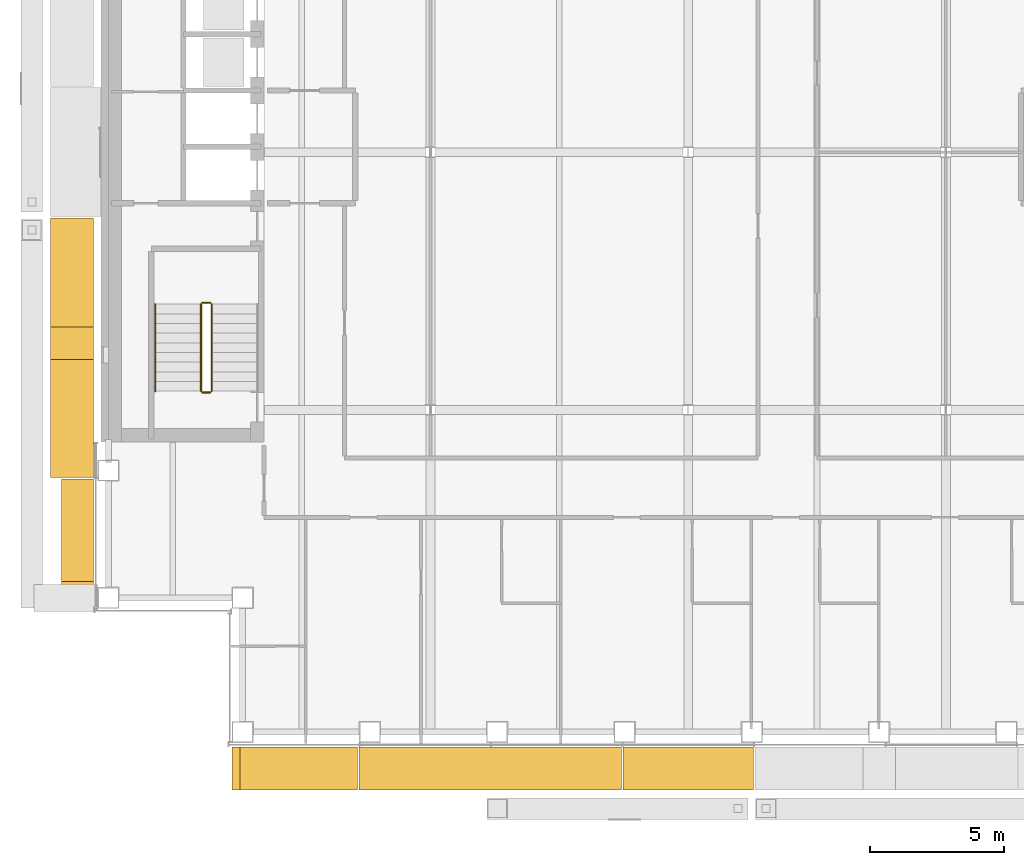
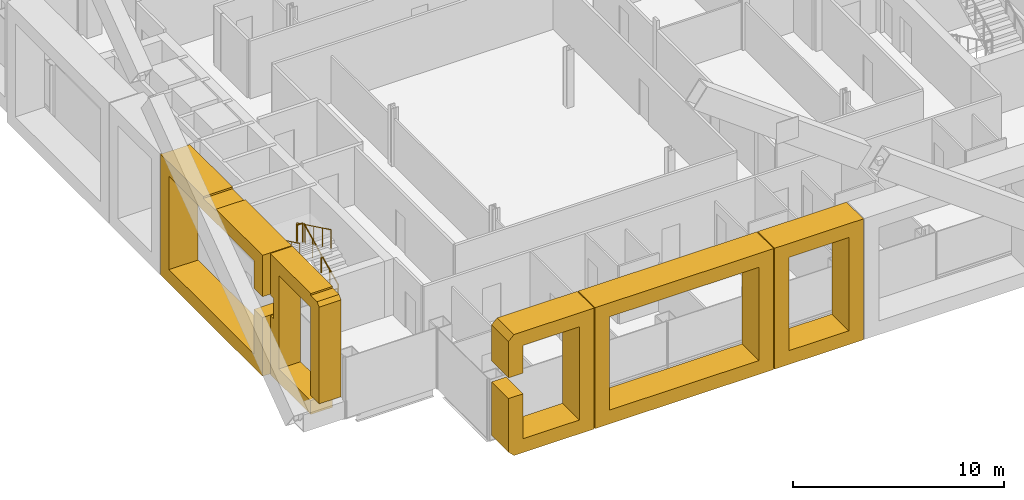
# One storey, part 17 of 22: 5 coverings, 5 railings.
"""IFC4 building model written with IfcOpenShell, lengths in metres."""

from ifc_helpers import new_model, si_unit, direction, frame, origin, origin_2d, place, context, subcontext, project, spatial, polyline, circle, outline, extrude, material, type_object, element, save


model = new_model("IFC4")

# Units and contexts
model_context = context("Model", 3, precision=1e-05, world=origin(), true_north=direction((0.0, 1.0)))
body_context = subcontext(model_context, "Body", "Model", "MODEL_VIEW")
ifc_project = project(units=[si_unit("LENGTHUNIT", "METRE"), si_unit("AREAUNIT", "SQUARE_METRE"), si_unit("VOLUMEUNIT", "CUBIC_METRE"), si_unit("PLANEANGLEUNIT", "RADIAN"), si_unit("MASSUNIT", "GRAM", prefix="KILO")], contexts=[model_context])

# Site, building, storey
site_placement = place(None, origin())
site = spatial("IfcSite", under=ifc_project, at=site_placement, CompositionType="ELEMENT")
building_placement = place(site_placement, origin())
building = spatial("IfcBuilding", under=site, at=building_placement, Name="Cobrizo Arcos Hotel Tower", CompositionType="ELEMENT")
storey_placement = place(building_placement, frame((0.0, 0.0, 162.0)))
storey = spatial("IfcBuildingStorey", under=building, at=storey_placement, Name="L41", CompositionType="ELEMENT", Elevation=162.0)

# Coverings
ifc_material_1 = material(Name="Aluminium 6063-T6 anodised bronze", Category="aluminium")
covering_type_1 = type_object("IfcCoveringType", Name="FIN-F 1200", PredefinedType="CLADDING", material=ifc_material_1)
covering_1_placement = place(storey_placement, frame((-22.14990234375, -12.16796875, 0.0), z_axis=(-1.0, 0.0, 0.0), x_axis=(0.0, -1.0, 0.0)))
element("IfcCovering", 1, at=covering_1_placement, inside=storey, type_object=covering_type_1, Name="Fin frame 275", PredefinedType="CLADDING", context=body_context, shape_type="SweptSolid", body=[
    extrude(outline(polyline([(0.0, 0.0), (3.830078125, 0.0), (3.830078125, 0.800048828125), (0.800048828125, 0.800048828125), (0.800048828125, 6.199951171875), (3.83203125, 6.199951171875), (3.83203125, 1.10205078125), (4.632080078125, 1.10205078125), (4.632080078125, 6.699951171875), (4.43408203125, 6.89794921875), (3.830078125, 6.89794921875), (3.830078125, 7.0), (0.0, 7.0), (0.0, 4.60205078125), (0.291259765625, 4.60205078125), (0.291259765625, 3.39794921875), (0.0, 3.39794921875), (0.0, 0.0)])), origin(), (0.0, 0.0, 1.0), 1.2001953125),
])
covering_type_2 = type_object("IfcCoveringType", Name="FIN-F 1600", PredefinedType="CLADDING", material=ifc_material_1)
covering_2_placement = place(storey_placement, frame((-17.0, -22.14990234375, 0.0), z_axis=(0.0, -1.0, 0.0), x_axis=(1.0, 0.0, 0.0)))
element("IfcCovering", 2, at=covering_2_placement, inside=storey, type_object=covering_type_2, Name="Fin frame 241", PredefinedType="CLADDING", context=body_context, shape_type="SweptSolid", body=[
    extrude(outline(polyline([(0.0, 6.699951171875), (0.0, 4.60205078125), (0.800048828125, 4.60205078125), (0.800048828125, 6.199951171875), (3.889404296875, 6.199951171875), (3.889404296875, 0.800048828125), (0.800048828125, 0.800048828125), (0.800048828125, 3.39794921875), (0.0, 3.39794921875), (0.0, 0.300048828125), (0.300048828125, 0.0), (4.689208984375, 0.0), (4.689208984375, 7.0), (0.300048828125, 7.0), (0.0, 6.699951171875)])), origin(), (0.0, 0.0, 1.0), 1.60009765625),
])
covering_3_placement = place(storey_placement, frame((-12.2607421875, -22.14990234375, 0.0), z_axis=(0.0, -1.0, 0.0), x_axis=(1.0, 0.0, 0.0)))
element("IfcCovering", 3, at=covering_3_placement, inside=storey, type_object=covering_type_2, Name="Fin frame 242", PredefinedType="CLADDING", context=body_context, shape_type="SweptSolid", body=[
    extrude(outline(polyline([(0.0, 7.0), (0.0, 0.0), (9.778564453125, 0.0), (9.778564453125, 7.0), (0.0, 7.0)]), holes=[polyline([(8.978515625, 0.800048828125), (0.800048828125, 0.800048828125), (0.800048828125, 6.199951171875), (8.978515625, 6.199951171875), (8.978515625, 0.800048828125)])]), origin(), (0.0, 0.0, 1.0), 1.60009765625),
])
covering_4_placement = place(storey_placement, frame((-2.43212890625, -22.14990234375, 0.0), z_axis=(0.0, -1.0, 0.0), x_axis=(1.0, 0.0, 0.0)))
element("IfcCovering", 4, at=covering_4_placement, inside=storey, type_object=covering_type_2, Name="Fin frame 243", PredefinedType="CLADDING", context=body_context, shape_type="SweptSolid", body=[
    extrude(outline(polyline([(0.0, 7.0), (0.0, 0.0), (4.8642578125, 0.0), (4.8642578125, 7.0), (0.0, 7.0)]), holes=[polyline([(4.064208984375, 0.800048828125), (0.800048828125, 0.800048828125), (0.800048828125, 6.199951171875), (4.064208984375, 6.199951171875), (4.064208984375, 0.800048828125)])]), origin(), (0.0, 0.0, 1.0), 1.60009765625),
])
covering_5_placement = place(storey_placement, frame((-22.14990234375, -2.45361328125, 0.0), z_axis=(-1.0, 0.0, 0.0), x_axis=(0.0, -1.0, 0.0)))
element("IfcCovering", 5, at=covering_5_placement, inside=storey, type_object=covering_type_2, Name="Fin frame 274", PredefinedType="CLADDING", context=body_context, shape_type="SweptSolid", body=[
    extrude(outline(polyline([(9.664306640625, 0.0), (9.664306640625, 3.39794921875), (8.8642578125, 3.39794921875), (8.8642578125, 0.800048828125), (0.800048828125, 0.800048828125), (0.800048828125, 6.199951171875), (8.8642578125, 6.199951171875), (8.8642578125, 4.60205078125), (9.664306640625, 4.60205078125), (9.664306640625, 7.0), (5.2626953125, 7.0), (5.2626953125, 6.89794921875), (4.05859375, 6.89794921875), (4.05859375, 7.0), (0.0, 7.0), (0.0, 0.0), (9.664306640625, 0.0)])), origin(), (0.0, 0.0, 1.0), 1.60009765625),
])

# Railings
ifc_material_2 = material(Name="Stainless steel railing", Category="steel")
railing_type_1 = type_object("IfcRailingType", Name="Stair guard 1100", PredefinedType="GUARDRAIL", material=ifc_material_2)
railing_1_placement = place(storey_placement, frame((-17.75, -8.89990234375, 0.175048828125)))
element("IfcRailing", 6, at=railing_1_placement, inside=storey, type_object=railing_type_1, Name="L41 ST-W stair guard 1", PredefinedType="GUARDRAIL", context=body_context, shape_type="SweptSolid", body=[
    extrude(circle(Radius=0.02392578125, at=origin_2d()), frame((0.0, 0.0, 1.076171875), z_axis=(0.0, 0.899372665325, 0.437182809435), x_axis=(-1.0, 0.0, 0.0)), (0.0, 0.0, 1.0), 3.6025390625),
    extrude(circle(Radius=0.02099609375, at=origin_2d()), origin(), (0.0, 0.0, 1.0), 1.052001953125),
    extrude(circle(Radius=0.02099609375, at=origin_2d()), frame((0.0, 0.81005859375, 0.393798828125)), (0.0, 0.0, 1.0), 1.052001953125),
    extrude(circle(Radius=0.02099609375, at=origin_2d()), frame((0.0, 1.6201171875, 0.78759765625)), (0.0, 0.0, 1.0), 1.052001953125),
    extrude(circle(Radius=0.02099609375, at=origin_2d()), frame((0.0, 2.429931640625, 1.18115234375)), (0.0, 0.0, 1.0), 1.052001953125),
    extrude(circle(Radius=0.02099609375, at=origin_2d()), frame((0.0, 3.239990234375, 1.574951171875)), (0.0, 0.0, 1.0), 1.052001953125),
])
railing_2_placement = place(storey_placement, frame((-17.800048828125, -5.610107421875, 1.75)))
element("IfcRailing", 7, at=railing_2_placement, inside=storey, type_object=railing_type_1, Name="L41 ST-W stair guard 2", PredefinedType="GUARDRAIL", context=body_context, shape_type="SweptSolid", body=[
    extrude(circle(Radius=0.02392578125, at=origin_2d()), frame((0.0, 0.0, 1.076171875), z_axis=(-1.0, 0.0, 0.0), x_axis=(0.0, -1.0, 0.0)), (0.0, 0.0, 1.0), 0.300048828125),
    extrude(circle(Radius=0.02099609375, at=origin_2d()), origin(), (0.0, 0.0, 1.0), 1.052001953125),
    extrude(circle(Radius=0.02099609375, at=origin_2d()), frame((-0.300048828125, 0.0, 0.0)), (0.0, 0.0, 1.0), 1.052001953125),
])
railing_3_placement = place(storey_placement, frame((-18.14990234375, -5.659912109375, 1.925048828125)))
element("IfcRailing", 8, at=railing_3_placement, inside=storey, type_object=railing_type_1, Name="L41 ST-W stair guard 3", PredefinedType="GUARDRAIL", context=body_context, shape_type="SweptSolid", body=[
    extrude(circle(Radius=0.02392578125, at=origin_2d()), frame((0.0, 0.0, 1.076171875), z_axis=(0.0, -0.899372665325, 0.437182809435), x_axis=(1.0, 0.0, 0.0)), (0.0, 0.0, 1.0), 3.6025390625),
    extrude(circle(Radius=0.02099609375, at=origin_2d()), origin(), (0.0, 0.0, 1.0), 1.052001953125),
    extrude(circle(Radius=0.02099609375, at=origin_2d()), frame((0.0, -0.81005859375, 0.393798828125)), (0.0, 0.0, 1.0), 1.052001953125),
    extrude(circle(Radius=0.02099609375, at=origin_2d()), frame((0.0, -1.6201171875, 0.78759765625)), (0.0, 0.0, 1.0), 1.052001953125),
    extrude(circle(Radius=0.02099609375, at=origin_2d()), frame((0.0, -2.429931640625, 1.18115234375)), (0.0, 0.0, 1.0), 1.052001953125),
    extrude(circle(Radius=0.02099609375, at=origin_2d()), frame((0.0, -3.239990234375, 1.574951171875)), (0.0, 0.0, 1.0), 1.052001953125),
])
railing_4_placement = place(storey_placement, frame((-17.800048828125, -8.949951171875, 0.0)))
element("IfcRailing", 9, at=railing_4_placement, inside=storey, type_object=railing_type_1, Name="L41 ST-W stair guard 4", PredefinedType="GUARDRAIL", context=body_context, shape_type="SweptSolid", body=[
    extrude(circle(Radius=0.02392578125, at=origin_2d()), frame((0.0, 0.0, 1.076171875), z_axis=(-1.0, 0.0, 0.0), x_axis=(0.0, -1.0, 0.0)), (0.0, 0.0, 1.0), 0.300048828125),
    extrude(circle(Radius=0.02099609375, at=origin_2d()), origin(), (0.0, 0.0, 1.0), 1.052001953125),
    extrude(circle(Radius=0.02099609375, at=origin_2d()), frame((-0.300048828125, 0.0, 0.0)), (0.0, 0.0, 1.0), 1.052001953125),
])
railing_type_2 = type_object("IfcRailingType", Name="Stair handrail", PredefinedType="HANDRAIL", material=ifc_material_2)
railing_5_placement = place(storey_placement, frame((-19.85009765625, -5.659912109375, 1.925048828125)))
element("IfcRailing", 10, at=railing_5_placement, inside=storey, type_object=railing_type_2, Name="L41 ST-W stair handrail 2", PredefinedType="HANDRAIL", context=body_context, shape_type="SweptSolid", body=[
    extrude(circle(Radius=0.02392578125, at=origin_2d()), frame((0.0, 0.0, 0.8759765625), z_axis=(0.0, -0.899372665325, 0.437182809435), x_axis=(1.0, 0.0, 0.0)), (0.0, 0.0, 1.0), 3.6025390625),
    extrude(circle(Radius=0.02099609375, at=origin_2d()), origin(), (0.0, 0.0, 1.0), 0.851806640625),
    extrude(circle(Radius=0.02099609375, at=origin_2d()), frame((0.0, -0.81005859375, 0.393798828125)), (0.0, 0.0, 1.0), 0.851806640625),
    extrude(circle(Radius=0.02099609375, at=origin_2d()), frame((0.0, -1.6201171875, 0.78759765625)), (0.0, 0.0, 1.0), 0.851806640625),
    extrude(circle(Radius=0.02099609375, at=origin_2d()), frame((0.0, -2.429931640625, 1.18115234375)), (0.0, 0.0, 1.0), 0.851806640625),
    extrude(circle(Radius=0.02099609375, at=origin_2d()), frame((0.0, -3.239990234375, 1.574951171875)), (0.0, 0.0, 1.0), 0.851806640625),
])

save(model, "model.ifc")
